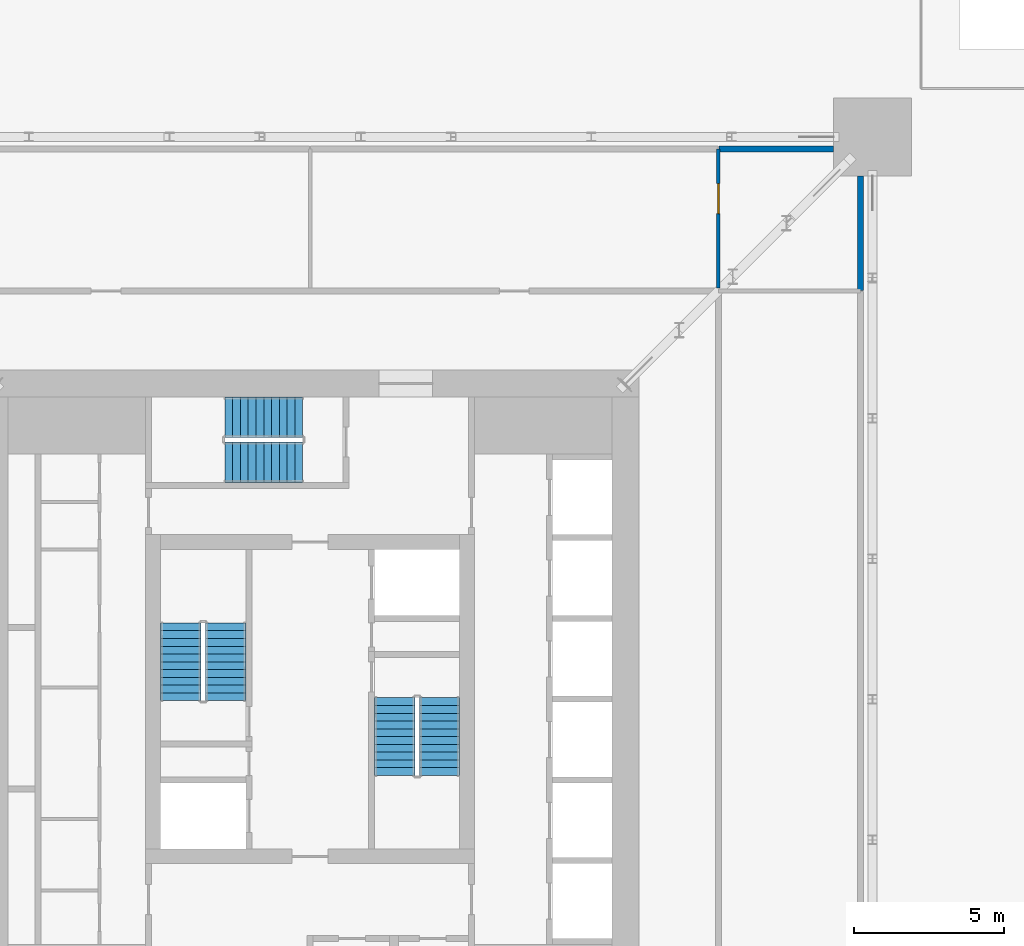
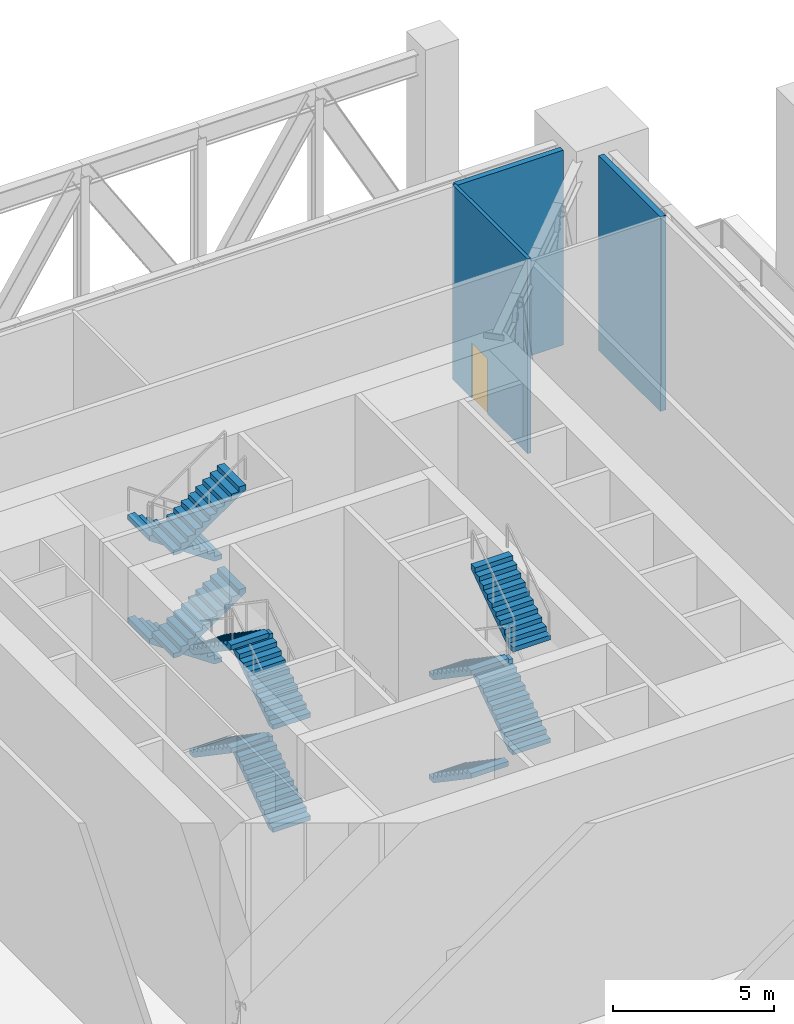
# One storey, part 12 of 17: 12 stair flights, 3 walls, 1 door, 1 opening, 3 elements without a shape of their own.
"""IFC4 building model written with IfcOpenShell, lengths in metres."""

from ifc_helpers import new_model, si_unit, direction, frame, frame_2d, origin, place, context, subcontext, project, spatial, polyline, rectangle, outline, extrude, material, layer, layer_set, type_object, element, fill, aggregate, save


model = new_model("IFC4")

# Units and contexts
model_context = context("Model", 3, precision=1e-05, world=origin(), true_north=direction((0.0, 1.0)))
body_context = subcontext(model_context, "Body", "Model", "MODEL_VIEW")
ifc_project = project(units=[si_unit("LENGTHUNIT", "METRE"), si_unit("AREAUNIT", "SQUARE_METRE"), si_unit("VOLUMEUNIT", "CUBIC_METRE"), si_unit("PLANEANGLEUNIT", "RADIAN"), si_unit("MASSUNIT", "GRAM", prefix="KILO")], contexts=[model_context])

# Site, building, storey
site_placement = place(None, origin())
site = spatial("IfcSite", under=ifc_project, at=site_placement, CompositionType="ELEMENT")
building_placement = place(site_placement, origin())
building = spatial("IfcBuilding", under=site, at=building_placement, Name="Khepri Terraces", CompositionType="ELEMENT")
storey_placement = place(building_placement, frame((0.0, 0.0, 180.60009765625)))
storey = spatial("IfcBuildingStorey", under=building, at=storey_placement, Name="L43", CompositionType="ELEMENT", Elevation=180.60009765625)

# Walls
ifc_material_1 = material(Name="Fire-rated gypsum plasterboard partition, mineral wool")
ifc_layer_1 = layer(ifc_material_1, 0.199951171875, Name="Fire-rated gypsum plasterboard partition, mineral wool")
ifc_layer_set_1 = layer_set([ifc_layer_1], Name="Fire-rated gypsum plasterboard partition, mineral wool")
wall_type_1 = type_object("IfcWallType", Name="WL-CORR-200", PredefinedType="PARTITIONING", material=ifc_layer_set_1)
for number, where, z_axis, x_axis, name in (
    (1, (18.39990234375, 13.669921875, 0.0), (0.0, 0.0, 1.0), (0.0, 1.0, 0.0), "Partition P-011 L43"),
    (2, (13.669921875, 18.39990234375, 0.0), (0.0, 0.0, 1.0), (1.0, 0.0, 0.0), "Partition P-018 L43"),
):
    element("IfcWall", number, at=place(storey_placement, frame(where, z_axis=z_axis, x_axis=x_axis)), inside=storey, type_object=wall_type_1, Name=name, PredefinedType="PARTITIONING", context=body_context, shape_type="SweptSolid", body=[
        extrude(rectangle(XDim=3.830078125, YDim=0.199951171875, at=frame_2d((1.9150390625, 0.0))), origin(), (0.0, 0.0, 1.0), 7.3798828125),
    ])

# Wall, opening, door
ifc_material_2 = material(Name="Gypsum plasterboard partition")
ifc_layer_2 = layer(ifc_material_2, 0.1201171875, Name="Gypsum plasterboard partition")
ifc_layer_set_2 = layer_set([ifc_layer_2], Name="Gypsum plasterboard partition")
wall_type_2 = type_object("IfcWallType", Name="WL-PART-120", PredefinedType="PARTITIONING", material=ifc_layer_set_2)
wall_placement = place(storey_placement, frame((13.64990234375, 13.75, 0.0), z_axis=(0.0, 0.0, 1.0), x_axis=(0.0, 1.0, 0.0)))
wall = element("IfcWall", 3, at=wall_placement, inside=storey, type_object=wall_type_2, Name="Partition P-014 L43", PredefinedType="PARTITIONING", context=body_context, shape_type="SweptSolid", body=[
    extrude(rectangle(XDim=4.64990234375, YDim=0.1201171875, at=frame_2d((2.324951171875, 0.0))), origin(), (0.0, 0.0, 1.0), 7.3798828125),
])
opening_placement = place(wall_placement, frame((2.487548828125, 0.0, 0.0)))
opening = element("IfcOpeningElement", 4, at=opening_placement, cuts=wall, Name="Opening D2", PredefinedType="OPENING", context=body_context, shape_type="SweptSolid", body=[
    extrude(rectangle(XDim=1.0, YDim=2.10009765625, at=frame_2d((0.5, 1.050048828125))), frame((0.0, 0.070068359375, 0.0), z_axis=(0.0, -1.0, 0.0), x_axis=(1.0, 0.0, 0.0)), (0.0, 0.0, 1.0), 0.14013671875),
])
ifc_material_3 = material(Name="Timber door leaf, living room door", Category="wood")
door_type = type_object("IfcDoorType", Name="DR-INT-1000", OperationType="NOTDEFINED", PredefinedType="DOOR", material=ifc_material_3)
door_placement = place(opening_placement, frame((1.0, 0.0, 0.0), z_axis=(0.0, 0.0, 1.0), x_axis=(-1.0, 0.0, 0.0)))
door = element("IfcDoor", 5, at=door_placement, inside=storey, type_object=door_type, Name="Door Transformer Room", OperationType="SINGLE_SWING_LEFT", OverallHeight=2.10009765625, OverallWidth=1.0, PredefinedType="DOOR", context=body_context, shape_type="SweptSolid", body=[
    extrude(rectangle(XDim=1.0, YDim=2.10009765625, at=frame_2d((0.5, 1.050048828125))), frame((0.0, 0.02490234375, 0.0), z_axis=(0.0, -1.0, 0.0), x_axis=(1.0, 0.0, 0.0)), (0.0, 0.0, 1.0), 0.050048828125),
])
fill(opening, door)

# Stair, stair flights
ifc_material_4 = material(Name="Concrete C40/50", Category="concrete")
stair_type = type_object("IfcStairType", Name="STAIR-RC-44R", PredefinedType="HALF_TURN_STAIR", material=ifc_material_4)
stair_1_placement = place(storey_placement, origin())
stair_1 = element("IfcStair", 6, at=stair_1_placement, inside=storey, type_object=stair_type, Name="L43 Exit Stair ST-1", PredefinedType="HALF_TURN_STAIR")
stair_flight_type = type_object("IfcStairFlightType", Name="SFL-RC-177.3", PredefinedType="STRAIGHT", material=ifc_material_4)
stair_flight_1_placement = place(storey_placement, frame((-2.824951171875, -0.050048828125, 0.0), z_axis=(0.0, 0.0, 1.0), x_axis=(0.0, 1.0, 0.0)))
stair_flight_1 = element("IfcStairFlight", 7, at=stair_flight_1_placement, type_object=stair_flight_type, Name="ST-1 flight 1", NumberOfRisers=11, NumberOfTreads=10, PredefinedType="STRAIGHT", RiserHeight=0.177272727, TreadLength=0.26, context=body_context, shape_type="SweptSolid", body=[
    extrude(outline(polyline([(0.0, 0.0), (0.0, 0.17724609375), (0.260009765625, 0.17724609375), (0.260009765625, 0.3544921875), (0.52001953125, 0.3544921875), (0.52001953125, 0.53173828125), (0.780029296875, 0.53173828125), (0.780029296875, 0.708984375), (1.0400390625, 0.708984375), (1.0400390625, 0.886474609375), (1.300048828125, 0.886474609375), (1.300048828125, 1.063720703125), (1.56005859375, 1.063720703125), (1.56005859375, 1.240966796875), (1.820068359375, 1.240966796875), (1.820068359375, 1.418212890625), (2.080078125, 1.418212890625), (2.080078125, 1.595458984375), (2.340087890625, 1.595458984375), (2.340087890625, 1.772705078125), (2.60009765625, 1.772705078125), (2.60009765625, 1.949951171875), (2.60009765625, 1.59130859375), (0.26611328125, 0.0), (0.0, 0.0)])), frame((0.0, 0.675048828125, 0.0), z_axis=(0.0, -1.0, 0.0), x_axis=(1.0, 0.0, 0.0)), (0.0, 0.0, 1.0), 1.35009765625),
])
stair_flight_2_placement = place(storey_placement, frame((-4.324951171875, 2.550048828125, 1.949951171875), z_axis=(0.0, 0.0, 1.0), x_axis=(0.0, -1.0, 0.0)))
stair_flight_2 = element("IfcStairFlight", 8, at=stair_flight_2_placement, type_object=stair_flight_type, Name="ST-1 flight 2", NumberOfRisers=11, NumberOfTreads=10, PredefinedType="STRAIGHT", RiserHeight=0.177272727, TreadLength=0.26, context=body_context, shape_type="SweptSolid", body=[
    extrude(outline(polyline([(0.0, 0.0), (0.0, 0.17724609375), (0.260009765625, 0.17724609375), (0.260009765625, 0.3544921875), (0.52001953125, 0.3544921875), (0.52001953125, 0.53173828125), (0.780029296875, 0.53173828125), (0.780029296875, 0.708984375), (1.0400390625, 0.708984375), (1.0400390625, 0.886474609375), (1.300048828125, 0.886474609375), (1.300048828125, 1.063720703125), (1.56005859375, 1.063720703125), (1.56005859375, 1.240966796875), (1.820068359375, 1.240966796875), (1.820068359375, 1.418212890625), (2.080078125, 1.418212890625), (2.080078125, 1.595458984375), (2.340087890625, 1.595458984375), (2.340087890625, 1.772705078125), (2.60009765625, 1.772705078125), (2.60009765625, 1.949951171875), (2.60009765625, 1.59130859375), (0.26611328125, 0.0), (0.0, 0.0)])), frame((0.0, 0.675048828125, 0.0), z_axis=(0.0, -1.0, 0.0), x_axis=(1.0, 0.0, 0.0)), (0.0, 0.0, 1.0), 1.35009765625),
])
stair_flight_3_placement = place(storey_placement, frame((-2.824951171875, -0.050048828125, 3.89990234375), z_axis=(0.0, 0.0, 1.0), x_axis=(0.0, 1.0, 0.0)))
stair_flight_3 = element("IfcStairFlight", 9, at=stair_flight_3_placement, type_object=stair_flight_type, Name="ST-1 flight 3", NumberOfRisers=11, NumberOfTreads=10, PredefinedType="STRAIGHT", RiserHeight=0.177272727, TreadLength=0.26, context=body_context, shape_type="SweptSolid", body=[
    extrude(outline(polyline([(0.0, 0.0), (0.0, 0.17724609375), (0.260009765625, 0.17724609375), (0.260009765625, 0.3544921875), (0.52001953125, 0.3544921875), (0.52001953125, 0.53173828125), (0.780029296875, 0.53173828125), (0.780029296875, 0.708984375), (1.0400390625, 0.708984375), (1.0400390625, 0.886474609375), (1.300048828125, 0.886474609375), (1.300048828125, 1.063720703125), (1.56005859375, 1.063720703125), (1.56005859375, 1.240966796875), (1.820068359375, 1.240966796875), (1.820068359375, 1.418212890625), (2.080078125, 1.418212890625), (2.080078125, 1.595458984375), (2.340087890625, 1.595458984375), (2.340087890625, 1.772705078125), (2.60009765625, 1.772705078125), (2.60009765625, 1.949951171875), (2.60009765625, 1.59130859375), (0.26611328125, 0.0), (0.0, 0.0)])), frame((0.0, 0.675048828125, 0.0), z_axis=(0.0, -1.0, 0.0), x_axis=(1.0, 0.0, 0.0)), (0.0, 0.0, 1.0), 1.35009765625),
])
stair_flight_4_placement = place(storey_placement, frame((-4.324951171875, 2.550048828125, 5.849853515625), z_axis=(0.0, 0.0, 1.0), x_axis=(0.0, -1.0, 0.0)))
stair_flight_4 = element("IfcStairFlight", 10, at=stair_flight_4_placement, type_object=stair_flight_type, Name="ST-1 flight 4", NumberOfRisers=11, NumberOfTreads=10, PredefinedType="STRAIGHT", RiserHeight=0.177272727, TreadLength=0.26, context=body_context, shape_type="SweptSolid", body=[
    extrude(outline(polyline([(0.0, 0.0), (0.0, 0.17724609375), (0.260009765625, 0.17724609375), (0.260009765625, 0.3544921875), (0.52001953125, 0.3544921875), (0.52001953125, 0.53173828125), (0.780029296875, 0.53173828125), (0.780029296875, 0.708984375), (1.0400390625, 0.708984375), (1.0400390625, 0.886474609375), (1.300048828125, 0.886474609375), (1.300048828125, 1.063720703125), (1.56005859375, 1.063720703125), (1.56005859375, 1.240966796875), (1.820068359375, 1.240966796875), (1.820068359375, 1.418212890625), (2.080078125, 1.418212890625), (2.080078125, 1.595458984375), (2.340087890625, 1.595458984375), (2.340087890625, 1.772705078125), (2.60009765625, 1.772705078125), (2.60009765625, 1.949951171875), (2.60009765625, 1.59130859375), (0.26611328125, 0.0), (0.0, 0.0)])), frame((0.0, 0.675048828125, 0.0), z_axis=(0.0, -1.0, 0.0), x_axis=(1.0, 0.0, 0.0)), (0.0, 0.0, 1.0), 1.35009765625),
])
aggregate(stair_1, [stair_flight_1, stair_flight_2, stair_flight_3, stair_flight_4])

stair_2_placement = place(storey_placement, origin())
stair_2 = element("IfcStair", 11, at=stair_2_placement, inside=storey, type_object=stair_type, Name="L43 Exit Stair ST-2", PredefinedType="HALF_TURN_STAIR")
stair_flight_5_placement = place(storey_placement, frame((2.824951171875, 0.050048828125, 0.0), z_axis=(0.0, 0.0, 1.0), x_axis=(0.0, -1.0, 0.0)))
stair_flight_5 = element("IfcStairFlight", 12, at=stair_flight_5_placement, type_object=stair_flight_type, Name="ST-2 flight 1", NumberOfRisers=11, NumberOfTreads=10, PredefinedType="STRAIGHT", RiserHeight=0.177272727, TreadLength=0.26, context=body_context, shape_type="SweptSolid", body=[
    extrude(outline(polyline([(0.0, 0.0), (0.0, 0.17724609375), (0.260009765625, 0.17724609375), (0.260009765625, 0.3544921875), (0.52001953125, 0.3544921875), (0.52001953125, 0.53173828125), (0.780029296875, 0.53173828125), (0.780029296875, 0.708984375), (1.0400390625, 0.708984375), (1.0400390625, 0.886474609375), (1.300048828125, 0.886474609375), (1.300048828125, 1.063720703125), (1.56005859375, 1.063720703125), (1.56005859375, 1.240966796875), (1.820068359375, 1.240966796875), (1.820068359375, 1.418212890625), (2.080078125, 1.418212890625), (2.080078125, 1.595458984375), (2.340087890625, 1.595458984375), (2.340087890625, 1.772705078125), (2.60009765625, 1.772705078125), (2.60009765625, 1.949951171875), (2.60009765625, 1.59130859375), (0.26611328125, 0.0), (0.0, 0.0)])), frame((0.0, 0.675048828125, 0.0), z_axis=(0.0, -1.0, 0.0), x_axis=(1.0, 0.0, 0.0)), (0.0, 0.0, 1.0), 1.35009765625),
])
stair_flight_6_placement = place(storey_placement, frame((4.324951171875, -2.550048828125, 1.949951171875), z_axis=(0.0, 0.0, 1.0), x_axis=(0.0, 1.0, 0.0)))
stair_flight_6 = element("IfcStairFlight", 13, at=stair_flight_6_placement, type_object=stair_flight_type, Name="ST-2 flight 2", NumberOfRisers=11, NumberOfTreads=10, PredefinedType="STRAIGHT", RiserHeight=0.177272727, TreadLength=0.26, context=body_context, shape_type="SweptSolid", body=[
    extrude(outline(polyline([(0.0, 0.0), (0.0, 0.17724609375), (0.260009765625, 0.17724609375), (0.260009765625, 0.3544921875), (0.52001953125, 0.3544921875), (0.52001953125, 0.53173828125), (0.780029296875, 0.53173828125), (0.780029296875, 0.708984375), (1.0400390625, 0.708984375), (1.0400390625, 0.886474609375), (1.300048828125, 0.886474609375), (1.300048828125, 1.063720703125), (1.56005859375, 1.063720703125), (1.56005859375, 1.240966796875), (1.820068359375, 1.240966796875), (1.820068359375, 1.418212890625), (2.080078125, 1.418212890625), (2.080078125, 1.595458984375), (2.340087890625, 1.595458984375), (2.340087890625, 1.772705078125), (2.60009765625, 1.772705078125), (2.60009765625, 1.949951171875), (2.60009765625, 1.59130859375), (0.26611328125, 0.0), (0.0, 0.0)])), frame((0.0, 0.675048828125, 0.0), z_axis=(0.0, -1.0, 0.0), x_axis=(1.0, 0.0, 0.0)), (0.0, 0.0, 1.0), 1.35009765625),
])
stair_flight_7_placement = place(storey_placement, frame((2.824951171875, 0.050048828125, 3.89990234375), z_axis=(0.0, 0.0, 1.0), x_axis=(0.0, -1.0, 0.0)))
stair_flight_7 = element("IfcStairFlight", 14, at=stair_flight_7_placement, type_object=stair_flight_type, Name="ST-2 flight 3", NumberOfRisers=11, NumberOfTreads=10, PredefinedType="STRAIGHT", RiserHeight=0.177272727, TreadLength=0.26, context=body_context, shape_type="SweptSolid", body=[
    extrude(outline(polyline([(0.0, 0.0), (0.0, 0.17724609375), (0.260009765625, 0.17724609375), (0.260009765625, 0.3544921875), (0.52001953125, 0.3544921875), (0.52001953125, 0.53173828125), (0.780029296875, 0.53173828125), (0.780029296875, 0.708984375), (1.0400390625, 0.708984375), (1.0400390625, 0.886474609375), (1.300048828125, 0.886474609375), (1.300048828125, 1.063720703125), (1.56005859375, 1.063720703125), (1.56005859375, 1.240966796875), (1.820068359375, 1.240966796875), (1.820068359375, 1.418212890625), (2.080078125, 1.418212890625), (2.080078125, 1.595458984375), (2.340087890625, 1.595458984375), (2.340087890625, 1.772705078125), (2.60009765625, 1.772705078125), (2.60009765625, 1.949951171875), (2.60009765625, 1.59130859375), (0.26611328125, 0.0), (0.0, 0.0)])), frame((0.0, 0.675048828125, 0.0), z_axis=(0.0, -1.0, 0.0), x_axis=(1.0, 0.0, 0.0)), (0.0, 0.0, 1.0), 1.35009765625),
])
stair_flight_8_placement = place(storey_placement, frame((4.324951171875, -2.550048828125, 5.849853515625), z_axis=(0.0, 0.0, 1.0), x_axis=(0.0, 1.0, 0.0)))
stair_flight_8 = element("IfcStairFlight", 15, at=stair_flight_8_placement, type_object=stair_flight_type, Name="ST-2 flight 4", NumberOfRisers=11, NumberOfTreads=10, PredefinedType="STRAIGHT", RiserHeight=0.177272727, TreadLength=0.26, context=body_context, shape_type="SweptSolid", body=[
    extrude(outline(polyline([(0.0, 0.0), (0.0, 0.17724609375), (0.260009765625, 0.17724609375), (0.260009765625, 0.3544921875), (0.52001953125, 0.3544921875), (0.52001953125, 0.53173828125), (0.780029296875, 0.53173828125), (0.780029296875, 0.708984375), (1.0400390625, 0.708984375), (1.0400390625, 0.886474609375), (1.300048828125, 0.886474609375), (1.300048828125, 1.063720703125), (1.56005859375, 1.063720703125), (1.56005859375, 1.240966796875), (1.820068359375, 1.240966796875), (1.820068359375, 1.418212890625), (2.080078125, 1.418212890625), (2.080078125, 1.595458984375), (2.340087890625, 1.595458984375), (2.340087890625, 1.772705078125), (2.60009765625, 1.772705078125), (2.60009765625, 1.949951171875), (2.60009765625, 1.59130859375), (0.26611328125, 0.0), (0.0, 0.0)])), frame((0.0, 0.675048828125, 0.0), z_axis=(0.0, -1.0, 0.0), x_axis=(1.0, 0.0, 0.0)), (0.0, 0.0, 1.0), 1.35009765625),
])
aggregate(stair_2, [stair_flight_5, stair_flight_6, stair_flight_7, stair_flight_8])

stair_3_placement = place(storey_placement, origin())
stair_3 = element("IfcStair", 16, at=stair_3_placement, inside=storey, type_object=stair_type, Name="L43 Exit Stair ST-3", PredefinedType="HALF_TURN_STAIR")
stair_flight_9_placement = place(storey_placement, frame((-0.25, 9.425048828125, 0.0), z_axis=(0.0, 0.0, 1.0), x_axis=(-1.0, 0.0, 0.0)))
stair_flight_9 = element("IfcStairFlight", 17, at=stair_flight_9_placement, type_object=stair_flight_type, Name="ST-3 flight 1", NumberOfRisers=11, NumberOfTreads=10, PredefinedType="STRAIGHT", RiserHeight=0.177272727, TreadLength=0.26, context=body_context, shape_type="SweptSolid", body=[
    extrude(outline(polyline([(0.0, 0.0), (0.0, 0.17724609375), (0.260009765625, 0.17724609375), (0.260009765625, 0.3544921875), (0.52001953125, 0.3544921875), (0.52001953125, 0.53173828125), (0.780029296875, 0.53173828125), (0.780029296875, 0.708984375), (1.0400390625, 0.708984375), (1.0400390625, 0.886474609375), (1.300048828125, 0.886474609375), (1.300048828125, 1.063720703125), (1.56005859375, 1.063720703125), (1.56005859375, 1.240966796875), (1.820068359375, 1.240966796875), (1.820068359375, 1.418212890625), (2.080078125, 1.418212890625), (2.080078125, 1.595458984375), (2.340087890625, 1.595458984375), (2.340087890625, 1.772705078125), (2.60009765625, 1.772705078125), (2.60009765625, 1.949951171875), (2.60009765625, 1.59130859375), (0.26611328125, 0.0), (0.0, 0.0)])), frame((0.0, 0.675048828125, 0.0), z_axis=(0.0, -1.0, 0.0), x_axis=(1.0, 0.0, 0.0)), (0.0, 0.0, 1.0), 1.35009765625),
])
stair_flight_10_placement = place(storey_placement, frame((-2.85009765625, 7.925048828125, 1.949951171875), z_axis=(0.0, 0.0, 1.0), x_axis=(1.0, 0.0, 0.0)))
stair_flight_10 = element("IfcStairFlight", 18, at=stair_flight_10_placement, type_object=stair_flight_type, Name="ST-3 flight 2", NumberOfRisers=11, NumberOfTreads=10, PredefinedType="STRAIGHT", RiserHeight=0.177272727, TreadLength=0.26, context=body_context, shape_type="SweptSolid", body=[
    extrude(outline(polyline([(0.0, 0.0), (0.0, 0.17724609375), (0.260009765625, 0.17724609375), (0.260009765625, 0.3544921875), (0.52001953125, 0.3544921875), (0.52001953125, 0.53173828125), (0.780029296875, 0.53173828125), (0.780029296875, 0.708984375), (1.0400390625, 0.708984375), (1.0400390625, 0.886474609375), (1.300048828125, 0.886474609375), (1.300048828125, 1.063720703125), (1.56005859375, 1.063720703125), (1.56005859375, 1.240966796875), (1.820068359375, 1.240966796875), (1.820068359375, 1.418212890625), (2.080078125, 1.418212890625), (2.080078125, 1.595458984375), (2.340087890625, 1.595458984375), (2.340087890625, 1.772705078125), (2.60009765625, 1.772705078125), (2.60009765625, 1.949951171875), (2.60009765625, 1.59130859375), (0.26611328125, 0.0), (0.0, 0.0)])), frame((0.0, 0.675048828125, 0.0), z_axis=(0.0, -1.0, 0.0), x_axis=(1.0, 0.0, 0.0)), (0.0, 0.0, 1.0), 1.35009765625),
])
stair_flight_11_placement = place(storey_placement, frame((-0.25, 9.425048828125, 3.89990234375), z_axis=(0.0, 0.0, 1.0), x_axis=(-1.0, 0.0, 0.0)))
stair_flight_11 = element("IfcStairFlight", 19, at=stair_flight_11_placement, type_object=stair_flight_type, Name="ST-3 flight 3", NumberOfRisers=11, NumberOfTreads=10, PredefinedType="STRAIGHT", RiserHeight=0.177272727, TreadLength=0.26, context=body_context, shape_type="SweptSolid", body=[
    extrude(outline(polyline([(0.0, 0.0), (0.0, 0.17724609375), (0.260009765625, 0.17724609375), (0.260009765625, 0.3544921875), (0.52001953125, 0.3544921875), (0.52001953125, 0.53173828125), (0.780029296875, 0.53173828125), (0.780029296875, 0.708984375), (1.0400390625, 0.708984375), (1.0400390625, 0.886474609375), (1.300048828125, 0.886474609375), (1.300048828125, 1.063720703125), (1.56005859375, 1.063720703125), (1.56005859375, 1.240966796875), (1.820068359375, 1.240966796875), (1.820068359375, 1.418212890625), (2.080078125, 1.418212890625), (2.080078125, 1.595458984375), (2.340087890625, 1.595458984375), (2.340087890625, 1.772705078125), (2.60009765625, 1.772705078125), (2.60009765625, 1.949951171875), (2.60009765625, 1.59130859375), (0.26611328125, 0.0), (0.0, 0.0)])), frame((0.0, 0.675048828125, 0.0), z_axis=(0.0, -1.0, 0.0), x_axis=(1.0, 0.0, 0.0)), (0.0, 0.0, 1.0), 1.35009765625),
])
stair_flight_12_placement = place(storey_placement, frame((-2.85009765625, 7.925048828125, 5.849853515625), z_axis=(0.0, 0.0, 1.0), x_axis=(1.0, 0.0, 0.0)))
stair_flight_12 = element("IfcStairFlight", 20, at=stair_flight_12_placement, type_object=stair_flight_type, Name="ST-3 flight 4", NumberOfRisers=11, NumberOfTreads=10, PredefinedType="STRAIGHT", RiserHeight=0.177272727, TreadLength=0.26, context=body_context, shape_type="SweptSolid", body=[
    extrude(outline(polyline([(0.0, 0.0), (0.0, 0.17724609375), (0.260009765625, 0.17724609375), (0.260009765625, 0.3544921875), (0.52001953125, 0.3544921875), (0.52001953125, 0.53173828125), (0.780029296875, 0.53173828125), (0.780029296875, 0.708984375), (1.0400390625, 0.708984375), (1.0400390625, 0.886474609375), (1.300048828125, 0.886474609375), (1.300048828125, 1.063720703125), (1.56005859375, 1.063720703125), (1.56005859375, 1.240966796875), (1.820068359375, 1.240966796875), (1.820068359375, 1.418212890625), (2.080078125, 1.418212890625), (2.080078125, 1.595458984375), (2.340087890625, 1.595458984375), (2.340087890625, 1.772705078125), (2.60009765625, 1.772705078125), (2.60009765625, 1.949951171875), (2.60009765625, 1.59130859375), (0.26611328125, 0.0), (0.0, 0.0)])), frame((0.0, 0.675048828125, 0.0), z_axis=(0.0, -1.0, 0.0), x_axis=(1.0, 0.0, 0.0)), (0.0, 0.0, 1.0), 1.35009765625),
])
aggregate(stair_3, [stair_flight_9, stair_flight_10, stair_flight_11, stair_flight_12])

save(model, "model.ifc")
